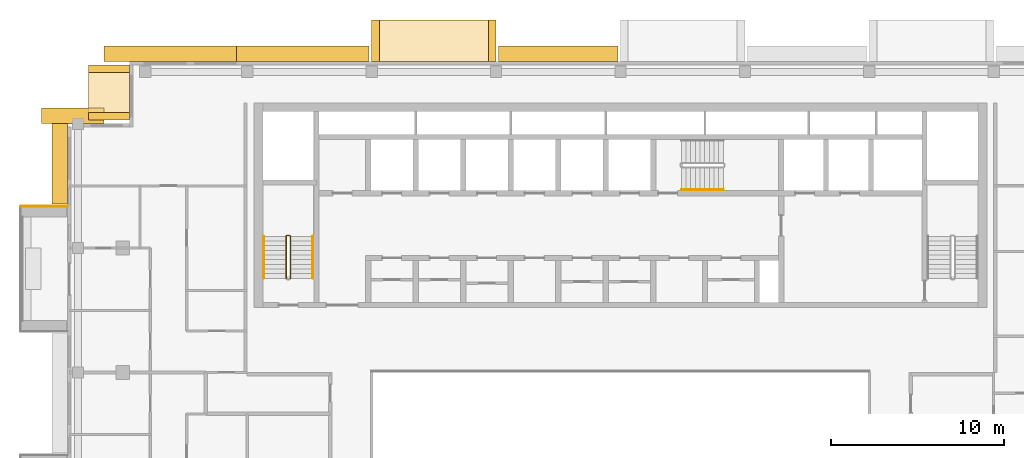
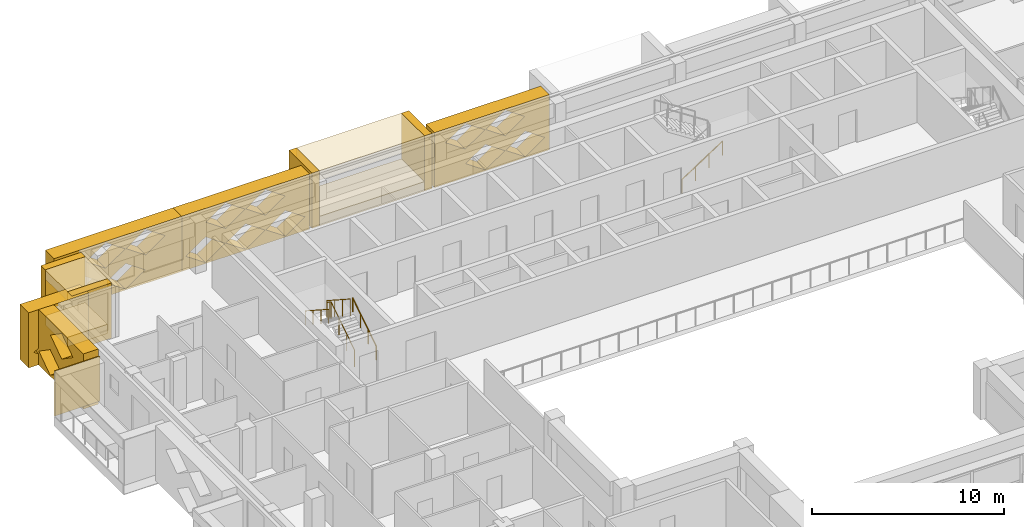
# One storey, part 17 of 19: 14 coverings, 4 railings.
"""IFC4 building model written with IfcOpenShell, lengths in metres."""

from ifc_helpers import new_model, si_unit, direction, frame, origin, origin_2d, place, context, subcontext, project, spatial, polyline, circle, outline, extrude, material, layer, layer_set, type_object, element, save


model = new_model("IFC4")

# Units and contexts
model_context = context("Model", 3, precision=1e-05, world=origin(), true_north=direction((0.0, 1.0)))
body_context = subcontext(model_context, "Body", "Model", "MODEL_VIEW")
ifc_project = project(units=[si_unit("LENGTHUNIT", "METRE"), si_unit("AREAUNIT", "SQUARE_METRE"), si_unit("VOLUMEUNIT", "CUBIC_METRE"), si_unit("PLANEANGLEUNIT", "RADIAN"), si_unit("MASSUNIT", "GRAM", prefix="KILO")], contexts=[model_context])

# Site, building, storey
site_placement = place(None, origin())
site = spatial("IfcSite", under=ifc_project, at=site_placement, CompositionType="ELEMENT")
building_placement = place(site_placement, origin())
building = spatial("IfcBuilding", under=site, at=building_placement, Name="Saffron Iwan Residences", CompositionType="ELEMENT")
storey_placement = place(building_placement, frame((0.0, 0.0, 243.0)))
storey = spatial("IfcBuildingStorey", under=building, at=storey_placement, Name="L65", CompositionType="ELEMENT", Elevation=243.0)

# Coverings
ifc_material_1 = material(Name="Precast concrete C40/50 white painted", Category="concrete")
ifc_layer = layer(ifc_material_1, 0.050048828125)
ifc_layer_set = layer_set([ifc_layer], Name="Precast concrete C40/50 white painted")
covering_type_1 = type_object("IfcCoveringType", Name="FRAME SKIN PRECAST WHITE 50", PredefinedType="CLADDING", material=ifc_layer_set)
covering_1_placement = place(storey_placement, origin())
element("IfcCovering", 1, at=covering_1_placement, inside=storey, type_object=covering_type_1, Name="Frame skin fin L65 F8-0a", PredefinedType="CLADDING", context=body_context, shape_type="SweptSolid", body=[
    extrude(outline(polyline([(15.699951171875, 72.050048828125), (15.699951171875, 72.0), (18.39990234375, 72.0), (18.39990234375, 72.050048828125), (15.699951171875, 72.050048828125)])), origin(), (0.0, 0.0, 1.0), 2.85009765625),
])
ifc_material_2 = material(Name="Precast concrete C40/50", Category="concrete")
covering_type_2 = type_object("IfcCoveringType", Name="OUTER SKIN LATTICE SCREEN", PredefinedType="CLADDING", material=ifc_material_2)
covering_2_placement = place(storey_placement, frame((50.25, 80.39990234375, -0.280029296875), z_axis=(0.0, 1.0, 0.0), x_axis=(-1.0, 0.0, 0.0)))
element("IfcCovering", 2, at=covering_2_placement, inside=storey, type_object=covering_type_2, Name="OUTER SKIN lattice screen L65 F5.2", PredefinedType="CLADDING", context=body_context, shape_type="SweptSolid", body=[
    extrude(outline(polyline([(0.0, 0.0), (6.89990234375, 0.0), (6.89990234375, 3.5), (0.0, 3.5), (0.0, 0.0)]), holes=[polyline([(0.27001953125, 0.875), (1.449951171875, 0.06005859375), (2.6298828125, 0.875), (1.449951171875, 1.68994140625), (0.27001953125, 0.875)]), polyline([(2.669921875, 0.875), (3.85009765625, 0.06005859375), (5.030029296875, 0.875), (3.85009765625, 1.68994140625), (2.669921875, 0.875)]), polyline([(1.469970703125, 2.625), (2.64990234375, 1.81005859375), (3.830078125, 2.625), (2.64990234375, 3.43994140625), (1.469970703125, 2.625)]), polyline([(3.8701171875, 2.625), (5.050048828125, 1.81005859375), (6.22998046875, 2.625), (5.050048828125, 3.43994140625), (3.8701171875, 2.625)])]), origin(), (0.0, 0.0, 1.0), 0.900146484375),
])
covering_3_placement = place(storey_placement, frame((35.85009765625, 80.39990234375, -0.280029296875), z_axis=(0.0, 1.0, 0.0), x_axis=(-1.0, 0.0, 0.0)))
element("IfcCovering", 3, at=covering_3_placement, inside=storey, type_object=covering_type_2, Name="OUTER SKIN lattice screen L65 F5.3", PredefinedType="CLADDING", context=body_context, shape_type="SweptSolid", body=[
    extrude(outline(polyline([(0.0, 0.0), (7.675048828125, 0.0), (7.675048828125, 3.5), (0.0, 3.5), (0.0, 0.0)]), holes=[polyline([(0.27001953125, 0.875), (1.449951171875, 0.06005859375), (2.6298828125, 0.875), (1.449951171875, 1.68994140625), (0.27001953125, 0.875)]), polyline([(2.669921875, 0.875), (3.85009765625, 0.06005859375), (5.030029296875, 0.875), (3.85009765625, 1.68994140625), (2.669921875, 0.875)]), polyline([(5.070068359375, 0.875), (6.25, 0.06005859375), (7.429931640625, 0.875), (6.25, 1.68994140625), (5.070068359375, 0.875)]), polyline([(1.469970703125, 2.625), (2.64990234375, 1.81005859375), (3.830078125, 2.625), (2.64990234375, 3.43994140625), (1.469970703125, 2.625)]), polyline([(3.8701171875, 2.625), (5.050048828125, 1.81005859375), (6.22998046875, 2.625), (5.050048828125, 3.43994140625), (3.8701171875, 2.625)])]), origin(), (0.0, 0.0, 1.0), 0.900146484375),
])
covering_4_placement = place(storey_placement, frame((28.175048828125, 80.39990234375, -0.280029296875), z_axis=(0.0, 1.0, 0.0), x_axis=(-1.0, 0.0, 0.0)))
element("IfcCovering", 4, at=covering_4_placement, inside=storey, type_object=covering_type_2, Name="OUTER SKIN lattice screen L65 F5.4", PredefinedType="CLADDING", context=body_context, shape_type="SweptSolid", body=[
    extrude(outline(polyline([(0.0, 0.0), (7.675048828125, 0.0), (7.675048828125, 3.5), (0.0, 3.5), (0.0, 0.0)]), holes=[polyline([(2.195068359375, 0.875), (3.375, 0.06005859375), (4.554931640625, 0.875), (3.375, 1.68994140625), (2.195068359375, 0.875)]), polyline([(4.594970703125, 0.875), (5.77490234375, 0.06005859375), (6.955078125, 0.875), (5.77490234375, 1.68994140625), (4.594970703125, 0.875)]), polyline([(0.9951171875, 2.625), (2.175048828125, 1.81005859375), (3.35498046875, 2.625), (2.175048828125, 3.43994140625), (0.9951171875, 2.625)]), polyline([(3.39501953125, 2.625), (4.574951171875, 1.81005859375), (5.7548828125, 2.625), (4.574951171875, 3.43994140625), (3.39501953125, 2.625)])]), origin(), (0.0, 0.0, 1.0), 0.900146484375),
])
covering_5_placement = place(storey_placement, frame((20.5, 76.800048828125, -0.280029296875), z_axis=(0.0, 1.0, 0.0), x_axis=(-1.0, 0.0, 0.0)))
element("IfcCovering", 5, at=covering_5_placement, inside=storey, type_object=covering_type_2, Name="OUTER SKIN lattice screen L65 F7.0", PredefinedType="CLADDING", context=body_context, shape_type="SweptSolid", body=[
    extrude(outline(polyline([(0.0, 0.0), (3.60009765625, 0.0), (3.60009765625, 3.5), (0.0, 3.5), (0.0, 0.0)]), holes=[polyline([(0.919921875, 0.875), (2.10009765625, 0.06005859375), (3.280029296875, 0.875), (2.10009765625, 1.68994140625), (0.919921875, 0.875)])]), origin(), (0.0, 0.0, 1.0), 0.89990234375),
])
covering_6_placement = place(storey_placement, frame((18.39990234375, 77.699951171875, -0.280029296875), z_axis=(-1.0, 0.0, 0.0), x_axis=(0.0, -1.0, 0.0)))
element("IfcCovering", 6, at=covering_6_placement, inside=storey, type_object=covering_type_2, Name="OUTER SKIN lattice screen L65 F8.0", PredefinedType="CLADDING", context=body_context, shape_type="SweptSolid", body=[
    extrude(outline(polyline([(0.0, 0.0), (5.550048828125, 0.0), (5.550048828125, 3.5), (0.0, 3.5), (0.0, 0.0)]), holes=[polyline([(0.919921875, 0.875), (2.10009765625, 0.06005859375), (3.280029296875, 0.875), (2.10009765625, 1.68994140625), (0.919921875, 0.875)]), polyline([(2.1201171875, 2.625), (3.300048828125, 1.81005859375), (4.47998046875, 2.625), (3.300048828125, 3.43994140625), (2.1201171875, 2.625)])]), origin(), (0.0, 0.0, 1.0), 0.89990234375),
])

# Railings
ifc_material_3 = material(Name="Steel S355", Category="steel")
railing_type_1 = type_object("IfcRailingType", Name="Stair guard 1100", PredefinedType="GUARDRAIL", material=ifc_material_3)
railing_1_placement = place(storey_placement, frame((31.300048828125, 67.85009765625, 0.175048828125)))
element("IfcRailing", 7, at=railing_1_placement, inside=storey, type_object=railing_type_1, Name="L65 ST-W stair guard 1", PredefinedType="GUARDRAIL", context=body_context, shape_type="SweptSolid", body=[
    extrude(circle(Radius=0.02392578125, at=origin_2d()), frame((0.0, 0.0, 1.076171875), z_axis=(0.0, 0.839153699163, 0.543894354798), x_axis=(-1.0, 0.0, 0.0)), (0.0, 0.0, 1.0), 2.895751953125),
    extrude(circle(Radius=0.02392578125, at=origin_2d()), frame((0.0, 2.429931640625, 2.65087890625), z_axis=(-0.707106781187, 0.707106781187, 0.0), x_axis=(-0.707106781187, -0.707106781187, 0.0)), (0.0, 0.0, 1.0), 0.07080078125),
    extrude(circle(Radius=0.02392578125, at=origin_2d()), frame((-0.050048828125, 2.47998046875, 2.65087890625), z_axis=(-1.0, 0.0, 0.0), x_axis=(0.0, -1.0, 0.0)), (0.0, 0.0, 1.0), 0.14990234375),
    extrude(circle(Radius=0.02392578125, at=origin_2d()), frame((-0.199951171875, 2.47998046875, 2.65087890625), z_axis=(-0.265065253269, -0.265065253269, 0.927081885822), x_axis=(0.707106781187, -0.707106781187, 0.0)), (0.0, 0.0, 1.0), 0.188720703125),
    extrude(circle(Radius=0.02392578125, at=origin_2d()), frame((-0.25, 2.429931640625, 2.826171875), z_axis=(0.0, -0.839153699163, 0.543894354798), x_axis=(1.0, 0.0, 0.0)), (0.0, 0.0, 1.0), 2.895751953125),
    extrude(circle(Radius=0.02099609375, at=origin_2d()), origin(), (0.0, 0.0, 1.0), 1.052001953125),
    extrude(circle(Radius=0.02099609375, at=origin_2d()), frame((0.0, 0.81005859375, 0.52490234375)), (0.0, 0.0, 1.0), 1.052001953125),
    extrude(circle(Radius=0.02099609375, at=origin_2d()), frame((0.0, 1.619873046875, 1.050048828125)), (0.0, 0.0, 1.0), 1.052001953125),
    extrude(circle(Radius=0.02099609375, at=origin_2d()), frame((0.0, 2.429931640625, 1.574951171875)), (0.0, 0.0, 1.0), 1.052001953125),
    extrude(circle(Radius=0.02099609375, at=origin_2d()), frame((-0.050048828125, 2.47998046875, 1.574951171875)), (0.0, 0.0, 1.0), 1.052001953125),
    extrude(circle(Radius=0.02099609375, at=origin_2d()), frame((-0.199951171875, 2.47998046875, 1.574951171875)), (0.0, 0.0, 1.0), 1.052001953125),
    extrude(circle(Radius=0.02099609375, at=origin_2d()), frame((-0.25, 2.429931640625, 1.75)), (0.0, 0.0, 1.0), 1.052001953125),
    extrude(circle(Radius=0.02099609375, at=origin_2d()), frame((-0.25, 1.619873046875, 2.27490234375)), (0.0, 0.0, 1.0), 1.052001953125),
    extrude(circle(Radius=0.02099609375, at=origin_2d()), frame((-0.25, 0.81005859375, 2.800048828125)), (0.0, 0.0, 1.0), 1.052001953125),
    extrude(circle(Radius=0.02099609375, at=origin_2d()), frame((-0.25, 0.0, 3.324951171875)), (0.0, 0.0, 1.0), 1.052001953125),
])
ifc_material_4 = material(Name="Stainless steel 316", Category="steel")
railing_type_2 = type_object("IfcRailingType", Name="Stair handrail 900", PredefinedType="HANDRAIL", material=ifc_material_4)
railing_2_placement = place(storey_placement, frame((32.60009765625, 67.85009765625, 0.175048828125)))
element("IfcRailing", 8, at=railing_2_placement, inside=storey, type_object=railing_type_2, Name="L65 ST-W stair handrail 1", PredefinedType="HANDRAIL", context=body_context, shape_type="SweptSolid", body=[
    extrude(circle(Radius=0.02392578125, at=origin_2d()), frame((0.0, 0.0, 0.8759765625), z_axis=(0.0, 0.839153699163, 0.543894354798), x_axis=(-1.0, 0.0, 0.0)), (0.0, 0.0, 1.0), 2.895751953125),
    extrude(circle(Radius=0.02099609375, at=origin_2d()), origin(), (0.0, 0.0, 1.0), 0.851806640625),
    extrude(circle(Radius=0.02099609375, at=origin_2d()), frame((0.0, 0.81005859375, 0.52490234375)), (0.0, 0.0, 1.0), 0.851806640625),
    extrude(circle(Radius=0.02099609375, at=origin_2d()), frame((0.0, 1.619873046875, 1.050048828125)), (0.0, 0.0, 1.0), 0.851806640625),
    extrude(circle(Radius=0.02099609375, at=origin_2d()), frame((0.0, 2.429931640625, 1.574951171875)), (0.0, 0.0, 1.0), 0.851806640625),
])
railing_3_placement = place(storey_placement, frame((29.75, 70.280029296875, 1.925048828125)))
element("IfcRailing", 9, at=railing_3_placement, inside=storey, type_object=railing_type_2, Name="L65 ST-W stair handrail 2", PredefinedType="HANDRAIL", context=body_context, shape_type="SweptSolid", body=[
    extrude(circle(Radius=0.02392578125, at=origin_2d()), frame((0.0, 0.0, 0.8759765625), z_axis=(0.0, -0.839153699163, 0.543894354798), x_axis=(1.0, 0.0, 0.0)), (0.0, 0.0, 1.0), 2.895751953125),
    extrude(circle(Radius=0.02099609375, at=origin_2d()), origin(), (0.0, 0.0, 1.0), 0.851806640625),
    extrude(circle(Radius=0.02099609375, at=origin_2d()), frame((0.0, -0.81005859375, 0.52490234375)), (0.0, 0.0, 1.0), 0.851806640625),
    extrude(circle(Radius=0.02099609375, at=origin_2d()), frame((0.0, -1.619873046875, 1.050048828125)), (0.0, 0.0, 1.0), 0.851806640625),
    extrude(circle(Radius=0.02099609375, at=origin_2d()), frame((0.0, -2.429931640625, 1.574951171875)), (0.0, 0.0, 1.0), 0.851806640625),
])
railing_4_placement = place(storey_placement, frame((53.925048828125, 72.97509765625, 0.175048828125)))
element("IfcRailing", 10, at=railing_4_placement, inside=storey, type_object=railing_type_2, Name="L65 ST-C stair handrail 1", PredefinedType="HANDRAIL", context=body_context, shape_type="SweptSolid", body=[
    extrude(circle(Radius=0.02392578125, at=origin_2d()), frame((0.0, 0.0, 0.8759765625), z_axis=(0.839153699163, 0.0, 0.543894354798), x_axis=(0.0, 1.0, 0.0)), (0.0, 0.0, 1.0), 2.895751953125),
    extrude(circle(Radius=0.02099609375, at=origin_2d()), origin(), (0.0, 0.0, 1.0), 0.851806640625),
    extrude(circle(Radius=0.02099609375, at=origin_2d()), frame((0.81005859375, 0.0, 0.52490234375)), (0.0, 0.0, 1.0), 0.851806640625),
    extrude(circle(Radius=0.02099609375, at=origin_2d()), frame((1.619873046875, 0.0, 1.050048828125)), (0.0, 0.0, 1.0), 0.851806640625),
    extrude(circle(Radius=0.02099609375, at=origin_2d()), frame((2.429931640625, 0.0, 1.574951171875)), (0.0, 0.0, 1.0), 0.851806640625),
])

# Coverings
covering_type_3 = type_object("IfcCoveringType", Name="WHITE SUN FRAME PRECAST", PredefinedType="CLADDING", material=ifc_material_1)
for number, where, z_axis, x_axis, name in (
    (11, (43.199951171875, 80.39990234375, -0.280029296875), (0.0, 1.0, 0.0), (-1.0, 0.0, 0.0), "Sun frame L65 F5 35.6a"),
    (12, (36.449951171875, 80.39990234375, -0.280029296875), (0.0, 1.0, 0.0), (-1.0, 0.0, 0.0), "Sun frame L65 F5 35.6b"),
):
    element("IfcCovering", number, at=place(storey_placement, frame(where, z_axis=z_axis, x_axis=x_axis)), inside=storey, type_object=covering_type_3, Name=name, PredefinedType="CLADDING", context=body_context, shape_type="SweptSolid", body=[
        extrude(outline(polyline([(0.0, 0.0), (0.449951171875, 0.0), (0.449951171875, 3.5), (0.0, 3.5), (0.0, 0.0)])), origin(), (0.0, 0.0, 1.0), 2.400146484375),
    ])
for number, where, z_axis, x_axis, name in (
    (13, (42.75, 80.39990234375, 2.6201171875), (0.0, 1.0, 0.0), (-1.0, 0.0, 0.0), "Sun frame L65 F5 35.6h"),
    (14, (42.75, 80.39990234375, -0.280029296875), (0.0, 1.0, 0.0), (-1.0, 0.0, 0.0), "Sun frame L65 F5 35.6s"),
):
    element("IfcCovering", number, at=place(storey_placement, frame(where, z_axis=z_axis, x_axis=x_axis)), inside=storey, type_object=covering_type_3, Name=name, PredefinedType="CLADDING", context=body_context, shape_type="SweptSolid", body=[
        extrude(outline(polyline([(0.0, 0.0), (6.300048828125, 0.0), (6.300048828125, 0.60009765625), (0.0, 0.60009765625), (0.0, 0.0)])), origin(), (0.0, 0.0, 1.0), 2.400146484375),
    ])
for number, where, z_axis, x_axis, name in (
    (15, (22.0, 80.199951171875, -0.280029296875), (-1.0, 0.0, 0.0), (0.0, -1.0, 0.0), "Sun frame L65 F6 0.2a"),
    (16, (22.0, 77.449951171875, -0.280029296875), (-1.0, 0.0, 0.0), (0.0, -1.0, 0.0), "Sun frame L65 F6 0.2b"),
):
    element("IfcCovering", number, at=place(storey_placement, frame(where, z_axis=z_axis, x_axis=x_axis)), inside=storey, type_object=covering_type_3, Name=name, PredefinedType="CLADDING", context=body_context, shape_type="SweptSolid", body=[
        extrude(outline(polyline([(0.0, 0.0), (0.449951171875, 0.0), (0.449951171875, 3.5), (0.0, 3.5), (0.0, 0.0)])), origin(), (0.0, 0.0, 1.0), 2.39990234375),
    ])
for number, where, z_axis, x_axis, name in (
    (17, (22.0, 79.75, 2.6201171875), (-1.0, 0.0, 0.0), (0.0, -1.0, 0.0), "Sun frame L65 F6 0.2h"),
    (18, (22.0, 79.75, -0.280029296875), (-1.0, 0.0, 0.0), (0.0, -1.0, 0.0), "Sun frame L65 F6 0.2s"),
):
    element("IfcCovering", number, at=place(storey_placement, frame(where, z_axis=z_axis, x_axis=x_axis)), inside=storey, type_object=covering_type_3, Name=name, PredefinedType="CLADDING", context=body_context, shape_type="SweptSolid", body=[
        extrude(outline(polyline([(0.0, 0.0), (2.300048828125, 0.0), (2.300048828125, 0.60009765625), (0.0, 0.60009765625), (0.0, 0.0)])), origin(), (0.0, 0.0, 1.0), 2.39990234375),
    ])

save(model, "model.ifc")
